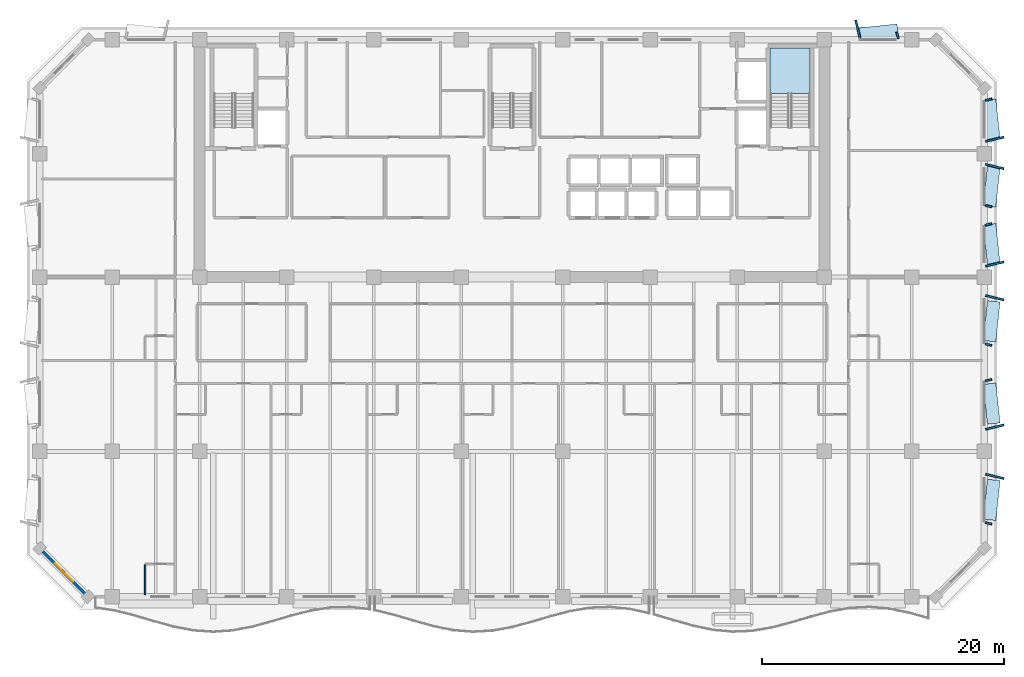
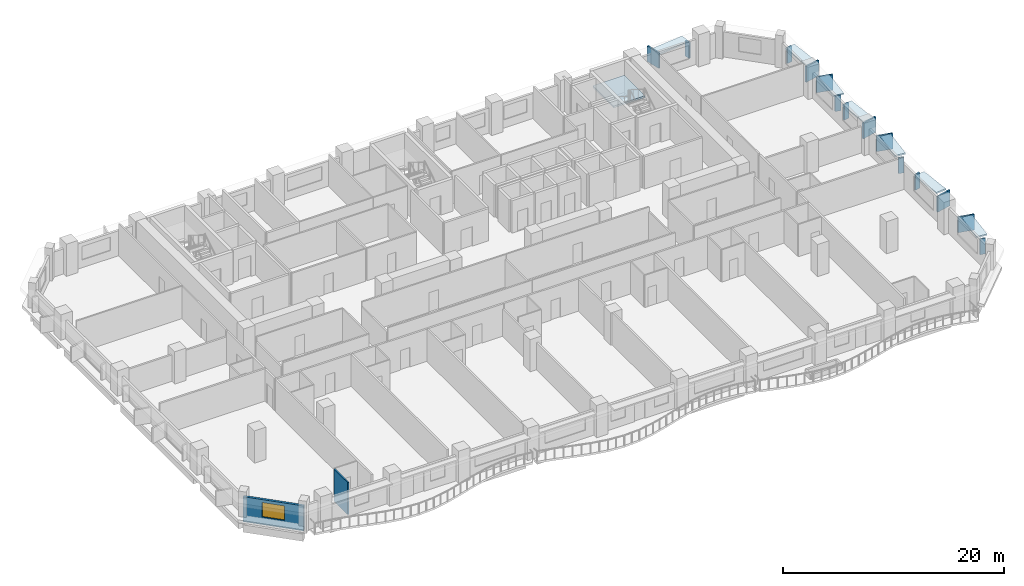
# One storey, part 3 of 15: 21 plates, 2 walls, 1 slab, 1 window, 1 opening, 1 element without a shape of its own.
"""IFC4 building model written with IfcOpenShell, lengths in metres."""

from ifc_helpers import new_model, si_unit, direction, frame, frame_2d, origin, origin_2d, place, context, subcontext, project, spatial, polyline, rectangle, outline, extrude, material, layer, layer_set, type_object, element, fill, aggregate, save


model = new_model("IFC4")

# Units and contexts
model_context = context("Model", 3, precision=1e-05, world=origin(), true_north=direction((0.0, 1.0)))
body_context = subcontext(model_context, "Body", "Model", "MODEL_VIEW")
ifc_project = project(units=[si_unit("LENGTHUNIT", "METRE"), si_unit("AREAUNIT", "SQUARE_METRE"), si_unit("VOLUMEUNIT", "CUBIC_METRE"), si_unit("PLANEANGLEUNIT", "RADIAN"), si_unit("MASSUNIT", "GRAM", prefix="KILO")], contexts=[model_context])

# Site, building, storey
site_placement = place(None, origin())
site = spatial("IfcSite", under=ifc_project, at=site_placement, CompositionType="ELEMENT")
building_placement = place(site_placement, origin())
building = spatial("IfcBuilding", under=site, at=building_placement, Name="Kaelvorn Grand Hotel", CompositionType="ELEMENT")
storey_placement = place(building_placement, frame((0.0, 0.0, 177.14990234375)))
storey = spatial("IfcBuildingStorey", under=building, at=storey_placement, Name="L43", CompositionType="ELEMENT", Elevation=177.14990234375)

# Plates
ifc_material_1 = material(Name="Precast concrete C45/55", Category="concrete")
ifc_layer_1 = layer(ifc_material_1, 0.159912109375)
ifc_layer_set_1 = layer_set([ifc_layer_1], Name="Precast concrete C45/55")
plate_type_1 = type_object("IfcPlateType", Name="PL-FRAME-DEEP-1550", PredefinedType="USERDEFINED", material=ifc_layer_set_1)
for number, where, z_axis, x_axis, name in (
    (1, (81.85498046875, 12.93994140625, 0.81494140625), (0.0, 0.0, 1.0), (0.233445363856, 0.972369920398, 0.0), "L43 Tilted Precast Window Frame Fin R-E01"),
    (2, (81.85498046875, 17.010009765625, 0.81494140625), (0.0, 0.0, 1.0), (-0.233445363856, 0.972369920398, 0.0), "L43 Tilted Precast Window Frame Fin L-E02"),
    (3, (81.85498046875, 27.68994140625, 0.81494140625), (0.0, 0.0, 1.0), (0.233445363856, 0.972369920398, 0.0), "L43 Tilted Precast Window Frame Fin R-E03"),
    (4, (81.85498046875, 30.47509765625, 0.740234375), (0.0, 0.0, 1.0), (-0.233445363856, 0.972369920398, 0.0), "L43 Tilted Precast Window Frame Fin L-E04"),
    (5, (81.85498046875, 38.52490234375, 0.740234375), (0.0, 0.0, 1.0), (0.233445363856, 0.972369920398, 0.0), "L43 Tilted Precast Window Frame Fin R-E05"),
    (6, (81.85498046875, 40.77490234375, 0.740234375), (0.0, 0.0, 1.0), (-0.233445363856, 0.972369920398, 0.0), "L43 Tilted Precast Window Frame Fin L-E06"),
    (7, (70.56005859375, 49.85498046875, 0.740234375), (0.0, 0.0, 1.0), (0.972369920398, 0.233445363856, 0.0), "L43 Tilted Precast Window Frame Fin L-N02"),
):
    element("IfcPlate", number, at=place(storey_placement, frame(where, z_axis=z_axis, x_axis=x_axis)), inside=storey, type_object=plate_type_1, Name=name, ObjectType="FLANGE_PLATE", PredefinedType="USERDEFINED", context=body_context, shape_type="SweptSolid", body=[
        extrude(rectangle(XDim=0.159912109375, YDim=1.550048828125, at=origin_2d()), origin(), (0.0, 0.0, 1.0), 1.719970703125),
    ])
ifc_layer_2 = layer(ifc_material_1, 0.159912109375)
ifc_layer_set_2 = layer_set([ifc_layer_2], Name="Precast concrete C45/55")
plate_type_2 = type_object("IfcPlateType", Name="PL-FRAME-HEAD-1050", PredefinedType="USERDEFINED", material=ifc_layer_set_2)
for number, where, z_axis, x_axis, name in (
    (8, (81.60498046875, 11.0, 2.5), (0.0, 0.0, 1.0), (0.105830199459, 0.994384215926, 0.0), "L43 Precast Window Frame Head Hood H-E01"),
    (9, (81.60498046875, 18.949951171875, 2.5), (0.0, 0.0, 1.0), (-0.105830199459, 0.994384215926, 0.0), "L43 Precast Window Frame Head Hood H-E02"),
    (10, (81.60498046875, 25.75, 2.5), (0.0, 0.0, 1.0), (0.105830199459, 0.994384215926, 0.0), "L43 Precast Window Frame Head Hood H-E03"),
    (11, (81.60498046875, 32.114990234375, 2.35009765625), (0.0, 0.0, 1.0), (-0.105830199459, 0.994384215926, 0.0), "L43 Precast Window Frame Head Hood H-E04"),
    (12, (81.60498046875, 36.885009765625, 2.35009765625), (0.0, 0.0, 1.0), (0.105830199459, 0.994384215926, 0.0), "L43 Precast Window Frame Head Hood H-E05"),
    (13, (81.60498046875, 42.4150390625, 2.35009765625), (0.0, 0.0, 1.0), (-0.105830199459, 0.994384215926, 0.0), "L43 Precast Window Frame Head Hood H-E06"),
    (14, (72.199951171875, 49.60498046875, 2.35009765625), (0.0, 0.0, 1.0), (0.994384215926, 0.105830199459, 0.0), "L43 Precast Window Frame Head Hood H-N02"),
):
    element("IfcPlate", number, at=place(storey_placement, frame(where, z_axis=z_axis, x_axis=x_axis)), inside=storey, type_object=plate_type_2, Name=name, ObjectType="FLANGE_PLATE", PredefinedType="USERDEFINED", context=body_context, shape_type="SweptSolid", body=[
        extrude(rectangle(XDim=3.320068359375, YDim=1.050048828125, at=origin_2d()), origin(), (0.0, 0.0, 1.0), 0.159912109375),
    ])
ifc_layer_3 = layer(ifc_material_1, 0.159912109375)
ifc_layer_set_3 = layer_set([ifc_layer_3], Name="Precast concrete C45/55")
plate_type_3 = type_object("IfcPlateType", Name="PL-FRAME-SHAL-550", PredefinedType="USERDEFINED", material=ifc_layer_set_3)
for number, where, z_axis, x_axis, name in (
    (15, (81.35498046875, 9.06005859375, 0.81494140625), (0.0, 0.0, 1.0), (0.233445363856, 0.972369920398, 0.0), "L43 Tilted Precast Window Frame Fin L-E01"),
    (16, (81.35498046875, 20.889892578125, 0.81494140625), (0.0, 0.0, 1.0), (-0.233445363856, 0.972369920398, 0.0), "L43 Tilted Precast Window Frame Fin R-E02"),
    (17, (81.35498046875, 23.81005859375, 0.81494140625), (0.0, 0.0, 1.0), (0.233445363856, 0.972369920398, 0.0), "L43 Tilted Precast Window Frame Fin L-E03"),
    (18, (81.35498046875, 33.7548828125, 0.740234375), (0.0, 0.0, 1.0), (-0.233445363856, 0.972369920398, 0.0), "L43 Tilted Precast Window Frame Fin R-E04"),
    (19, (81.35498046875, 35.2451171875, 0.740234375), (0.0, 0.0, 1.0), (0.233445363856, 0.972369920398, 0.0), "L43 Tilted Precast Window Frame Fin L-E05"),
    (20, (81.35498046875, 44.054931640625, 0.740234375), (0.0, 0.0, 1.0), (-0.233445363856, 0.972369920398, 0.0), "L43 Tilted Precast Window Frame Fin R-E06"),
    (21, (73.840087890625, 49.35498046875, 0.740234375), (0.0, 0.0, 1.0), (0.972369920398, 0.233445363856, 0.0), "L43 Tilted Precast Window Frame Fin R-N02"),
):
    element("IfcPlate", number, at=place(storey_placement, frame(where, z_axis=z_axis, x_axis=x_axis)), inside=storey, type_object=plate_type_3, Name=name, ObjectType="FLANGE_PLATE", PredefinedType="USERDEFINED", context=body_context, shape_type="SweptSolid", body=[
        extrude(rectangle(XDim=0.159912109375, YDim=0.550048828125, at=origin_2d()), origin(), (0.0, 0.0, 1.0), 1.719970703125),
    ])

# Stair, slab
ifc_material_2 = material(Name="Concrete C40/50", Category="concrete")
stair_type = type_object("IfcStairType", Name="STR-DOG-1560-R08", PredefinedType="HALF_TURN_STAIR", material=ifc_material_2)
stair_placement = place(storey_placement, origin())
stair = element("IfcStair", 22, at=stair_placement, inside=storey, type_object=stair_type, Name="L43 East Core Exit Stair ST3", PredefinedType="HALF_TURN_STAIR")
ifc_layer_4 = layer(ifc_material_2, 0.199951171875)
ifc_layer_set_4 = layer_set([ifc_layer_4], Name="Concrete C40/50")
slab_type = type_object("IfcSlabType", Name="SLB-LAND-200-C40", PredefinedType="LANDING", material=ifc_layer_set_4)
slab_placement = place(storey_placement, frame((0.0, 0.0, 1.7001953125)))
slab = element("IfcSlab", 23, at=slab_placement, type_object=slab_type, Name="ST3 landing 1", PredefinedType="LANDING", context=body_context, shape_type="SweptSolid", body=[
    extrude(outline(polyline([(66.60009765625, 44.56005859375), (66.60009765625, 48.300048828125), (63.320068359375, 48.300048828125), (63.320068359375, 44.56005859375), (66.60009765625, 44.56005859375)])), origin(), (0.0, 0.0, 1.0), 0.199951171875),
])
aggregate(stair, [slab])

# Wall, opening, window
ifc_layer_5 = layer(ifc_material_2, 0.239990234375)
ifc_layer_set_5 = layer_set([ifc_layer_5], Name="Concrete C40/50")
wall_type_1 = type_object("IfcWallType", Name="WL-EXT-240-C40", PredefinedType="SOLIDWALL", material=ifc_layer_set_5)
wall_1_placement = place(storey_placement, frame((3.0, 7.0, 0.0), z_axis=(0.0, 0.0, 1.0), x_axis=(0.707106781187, -0.707106781187, 0.0)))
wall_1 = element("IfcWall", 24, at=wall_1_placement, inside=storey, type_object=wall_type_1, Name="L43 Exterior Architectural Concrete Wall 08", PredefinedType="SOLIDWALL", context=body_context, shape_type="SweptSolid", body=[
    extrude(rectangle(XDim=5.65673828125, YDim=0.239990234375, at=frame_2d((2.828369140625, 0.0))), origin(), (0.0, 0.0, 1.0), 2.760009765625),
])
opening_placement = place(wall_1_placement, frame((1.7783203125, 0.0, 0.85009765625)))
opening = element("IfcOpeningElement", 25, at=opening_placement, cuts=wall_1, Name="Opening W7", PredefinedType="OPENING", context=body_context, shape_type="SweptSolid", body=[
    extrude(rectangle(XDim=2.10009765625, YDim=1.60009765625, at=frame_2d((1.050048828125, 0.800048828125))), frame((0.0, 0.1298828125, 0.0), z_axis=(0.0, -1.0, 0.0), x_axis=(1.0, 0.0, 0.0)), (0.0, 0.0, 1.0), 0.260009765625),
])
ifc_material_3 = material(Name="Laminated Low-E Glass", Category="glass")
window_type = type_object("IfcWindowType", Name="WIN-CHM-2100x1600", PartitioningType="SINGLE_PANEL", PredefinedType="WINDOW", material=ifc_material_3)
window_placement = place(opening_placement, origin())
window = element("IfcWindow", 26, at=window_placement, inside=storey, type_object=window_type, Name="L43 Chamfered 45-Degree Corner Window SW", OverallHeight=1.60009765625, OverallWidth=2.10009765625, PartitioningType="SINGLE_PANEL", PredefinedType="WINDOW", context=body_context, shape_type="SweptSolid", body=[
    extrude(rectangle(XDim=2.10009765625, YDim=1.60009765625, at=frame_2d((1.050048828125, 0.800048828125))), frame((0.0, 0.030029296875, 0.0), z_axis=(0.0, -1.0, 0.0), x_axis=(1.0, 0.0, 0.0)), (0.0, 0.0, 1.0), 0.06005859375),
])
fill(opening, window)

# Wall
ifc_material_4 = material(Name="Moisture-Resistant Tile & Stud Board")
ifc_layer_6 = layer(ifc_material_4, 0.125)
ifc_layer_set_6 = layer_set([ifc_layer_6], Name="Moisture-Resistant Tile & Stud Board")
wall_type_2 = type_object("IfcWallType", Name="WL-PART-125-WET", PredefinedType="PARTITIONING", material=ifc_layer_set_6)
wall_2_placement = place(storey_placement, frame((11.699951171875, 3.14990234375, 0.0), z_axis=(0.0, 0.0, 1.0), x_axis=(0.0, 1.0, 0.0)))
element("IfcWall", 27, at=wall_2_placement, inside=storey, type_object=wall_type_2, Name="L43 En-suite Bathroom L43-08 W Partition", PredefinedType="PARTITIONING", context=body_context, shape_type="SweptSolid", body=[
    extrude(rectangle(XDim=2.482666015625, YDim=0.125, at=frame_2d((1.2412109375, 0.0))), origin(), (0.0, 0.0, 1.0), 3.56005859375),
])

save(model, "model.ifc")
